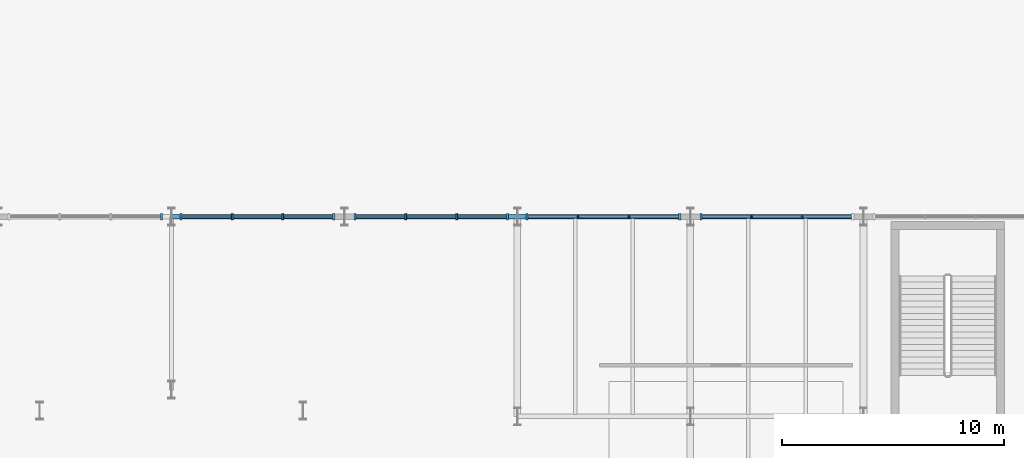
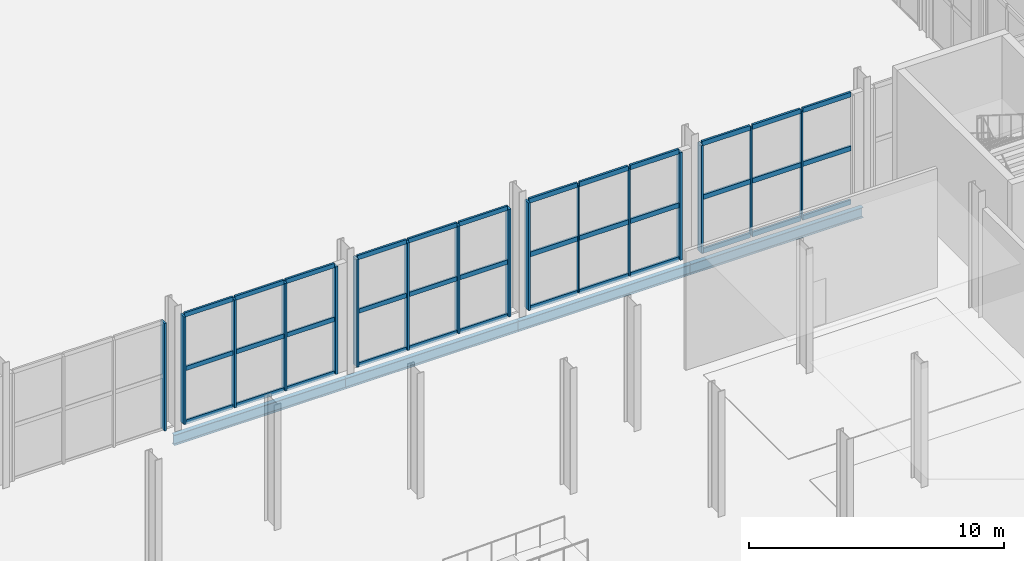
# One storey, part 25 of 84: 52 members, 4 beams, 5 elements without a shape of their own.
"""IFC4 building model written with IfcOpenShell, lengths in metres."""

from ifc_helpers import new_model, si_unit, direction, frame, origin, origin_2d, place, context, subcontext, project, spatial, rectangle, i_section, extrude, material, layer, layer_set, material_profile, profile_set, type_object, element, aggregate, save


model = new_model("IFC4")

# Units and contexts
model_context = context("Model", 3, precision=1e-05, world=origin(), true_north=direction((0.0, 1.0)))
body_context = subcontext(model_context, "Body", "Model", "MODEL_VIEW")
ifc_project = project(units=[si_unit("LENGTHUNIT", "METRE"), si_unit("AREAUNIT", "SQUARE_METRE"), si_unit("VOLUMEUNIT", "CUBIC_METRE"), si_unit("PLANEANGLEUNIT", "RADIAN"), si_unit("MASSUNIT", "GRAM", prefix="KILO")], contexts=[model_context])

# Site, building, storey
site_placement = place(None, origin())
site = spatial("IfcSite", under=ifc_project, at=site_placement, CompositionType="ELEMENT")
building_placement = place(site_placement, origin())
building = spatial("IfcBuilding", under=site, at=building_placement, Name="Sefraquen Railside Congress Hotel", CompositionType="ELEMENT")
storey_placement = place(building_placement, origin())
storey = spatial("IfcBuildingStorey", under=building, at=storey_placement, Name="L00", CompositionType="ELEMENT", Elevation=0.0)

# Beams
ifc_material_1 = material(Name="Steel S355JR", Category="steel")
ifc_material_profile_1 = material_profile(ifc_material_1, i_section(OverallWidth=0.199951171875, OverallDepth=0.5, WebThickness=0.01025390625, FlangeThickness=0.01611328125, FilletRadius=0.02099609375, at=origin_2d()), Name="IPE 500")
ifc_profile_set_1 = profile_set([ifc_material_profile_1], Name="Steel S355JR")
beam_type = type_object("IfcBeamType", Name="TB-BM-500", PredefinedType="BEAM", material=ifc_profile_set_1)
for number, where, z_axis, x_axis, name in (
    (1, (64.199951171875, 54.0, -0.64990234375), (1.0, 0.0, 0.0), (0.0, 1.0, 0.0), "Primary girder BM-L00-0059"),
    (2, (72.0, 54.0, -0.64990234375), (1.0, 0.0, 0.0), (0.0, 1.0, 0.0), "Primary girder BM-L00-0060"),
    (3, (79.800048828125, 54.0, -0.64990234375), (1.0, 0.0, 0.0), (0.0, 1.0, 0.0), "Primary girder BM-L00-0061"),
):
    element("IfcBeam", number, at=place(storey_placement, frame(where, z_axis=z_axis, x_axis=x_axis)), inside=storey, type_object=beam_type, Name=name, PredefinedType="BEAM", context=body_context, shape_type="SweptSolid", body=[
        extrude(i_section(OverallWidth=0.199951171875, OverallDepth=0.5, WebThickness=0.01025390625, FlangeThickness=0.01611328125, FilletRadius=0.02099609375, at=origin_2d()), origin(), (0.0, 0.0, 1.0), 7.800048828125),
    ])
beam_placement = place(storey_placement, frame((87.60009765625, 54.0, -0.64990234375), z_axis=(1.0, 0.0, 0.0), x_axis=(0.0, 1.0, 0.0)))
element("IfcBeam", 4, at=beam_placement, inside=storey, type_object=beam_type, Name="Primary girder BM-L00-0062", PredefinedType="BEAM", context=body_context, shape_type="SweptSolid", body=[
    extrude(i_section(OverallWidth=0.199951171875, OverallDepth=0.5, WebThickness=0.01025390625, FlangeThickness=0.01611328125, FilletRadius=0.02099609375, at=origin_2d()), origin(), (0.0, 0.0, 1.0), 7.7998046875),
])

# Curtain wall, members
ifc_material_2 = material(Name="Thermally broken anodised aluminium and low-E double glazing", Category="aluminium")
ifc_layer_1 = layer(ifc_material_2, 0.199951171875)
ifc_layer_set_1 = layer_set([ifc_layer_1], Name="Thermally broken anodised aluminium and low-E double glazing")
curtain_wall_type_1 = type_object("IfcCurtainWallType", Name="TCW-UCW-08", PredefinedType="USERDEFINED", material=ifc_layer_set_1)
curtain_wall_1_placement = place(storey_placement, origin())
curtain_wall_1 = element("IfcCurtainWall", 5, at=curtain_wall_1_placement, inside=storey, type_object=curtain_wall_type_1, Name="Congress courtyard north curtain wall L00-3", ObjectType="UNITISED CURTAIN WALL", PredefinedType="USERDEFINED")
ifc_material_3 = material(Name="Thermally broken anodised aluminium 6063-T6", Category="aluminium")
ifc_material_profile_2 = material_profile(ifc_material_3, rectangle(XDim=0.06005859375, YDim=0.159912109375, at=origin_2d()), Name="CWM 60x160")
ifc_profile_set_2 = profile_set([ifc_material_profile_2], Name="Thermally broken anodised aluminium 6063-T6")
member_type_1 = type_object("IfcMemberType", Name="TM-CWM-01", PredefinedType="MULLION", material=ifc_profile_set_2)
member_1_placement = place(storey_placement, frame((82.533203125, 54.0, 0.0), z_axis=(0.0, 0.0, 1.0), x_axis=(1.0, 0.0, 0.0)))
member_1 = element("IfcMember", 6, at=member_1_placement, type_object=member_type_1, Name="CW-L00-008 mullion 2", PredefinedType="MULLION", context=body_context, shape_type="SweptSolid", body=[
    extrude(rectangle(XDim=0.06005859375, YDim=0.159912109375, at=origin_2d()), origin(), (0.0, 0.0, 1.0), 5.14990234375),
])
member_2_placement = place(storey_placement, frame((84.82666015625, 54.0, 0.0), z_axis=(0.0, 0.0, 1.0), x_axis=(1.0, 0.0, 0.0)))
member_2 = element("IfcMember", 7, at=member_2_placement, type_object=member_type_1, Name="CW-L00-008 mullion 3", PredefinedType="MULLION", context=body_context, shape_type="SweptSolid", body=[
    extrude(rectangle(XDim=0.06005859375, YDim=0.159912109375, at=origin_2d()), origin(), (0.0, 0.0, 1.0), 5.14990234375),
])

curtain_wall_2_placement = place(storey_placement, origin())
curtain_wall_2 = element("IfcCurtainWall", 8, at=curtain_wall_2_placement, inside=storey, type_object=curtain_wall_type_1, Name="Congress courtyard north curtain wall L00-3 bay 2", ObjectType="UNITISED CURTAIN WALL", PredefinedType="USERDEFINED")
member_3_placement = place(storey_placement, frame((90.360107421875, 54.0, 0.0), z_axis=(0.0, 0.0, 1.0), x_axis=(1.0, 0.0, 0.0)))
member_3 = element("IfcMember", 9, at=member_3_placement, type_object=member_type_1, Name="CW-L00-008-S2 mullion 2", PredefinedType="MULLION", context=body_context, shape_type="SweptSolid", body=[
    extrude(rectangle(XDim=0.06005859375, YDim=0.159912109375, at=origin_2d()), origin(), (0.0, 0.0, 1.0), 5.14990234375),
])
member_4_placement = place(storey_placement, frame((92.639892578125, 54.0, 0.0), z_axis=(0.0, 0.0, 1.0), x_axis=(1.0, 0.0, 0.0)))
member_4 = element("IfcMember", 10, at=member_4_placement, type_object=member_type_1, Name="CW-L00-008-S2 mullion 3", PredefinedType="MULLION", context=body_context, shape_type="SweptSolid", body=[
    extrude(rectangle(XDim=0.06005859375, YDim=0.159912109375, at=origin_2d()), origin(), (0.0, 0.0, 1.0), 5.14990234375),
])

ifc_layer_2 = layer(ifc_material_2, 0.199951171875)
ifc_layer_set_2 = layer_set([ifc_layer_2], Name="Thermally broken anodised aluminium and low-E double glazing")
curtain_wall_type_2 = type_object("IfcCurtainWallType", Name="TCW-UCW-07", PredefinedType="USERDEFINED", material=ifc_layer_set_2)
curtain_wall_3_placement = place(storey_placement, origin())
curtain_wall_3 = element("IfcCurtainWall", 11, at=curtain_wall_3_placement, inside=storey, type_object=curtain_wall_type_2, Name="Congress courtyard north curtain wall L00-2", ObjectType="UNITISED CURTAIN WALL", PredefinedType="USERDEFINED")
ifc_material_profile_3 = material_profile(ifc_material_3, rectangle(XDim=0.090087890625, YDim=0.280029296875, at=origin_2d()), Name="CWM 90x280")
ifc_profile_set_3 = profile_set([ifc_material_profile_3], Name="Thermally broken anodised aluminium 6063-T6")
member_type_2 = type_object("IfcMemberType", Name="TM-CWM-07", PredefinedType="MULLION", material=ifc_profile_set_3)
member_5_placement = place(storey_placement, frame((66.933349609375, 54.0, 0.0), z_axis=(0.0, 0.0, 1.0), x_axis=(1.0, 0.0, 0.0)))
member_5 = element("IfcMember", 12, at=member_5_placement, type_object=member_type_2, Name="CW-L00-007 mullion 2", PredefinedType="MULLION", context=body_context, shape_type="SweptSolid", body=[
    extrude(rectangle(XDim=0.090087890625, YDim=0.280029296875, at=origin_2d()), origin(), (0.0, 0.0, 1.0), 5.14990234375),
])
member_6_placement = place(storey_placement, frame((69.226806640625, 54.0, 0.0), z_axis=(0.0, 0.0, 1.0), x_axis=(1.0, 0.0, 0.0)))
member_6 = element("IfcMember", 13, at=member_6_placement, type_object=member_type_2, Name="CW-L00-007 mullion 3", PredefinedType="MULLION", context=body_context, shape_type="SweptSolid", body=[
    extrude(rectangle(XDim=0.090087890625, YDim=0.280029296875, at=origin_2d()), origin(), (0.0, 0.0, 1.0), 5.14990234375),
])

curtain_wall_4_placement = place(storey_placement, origin())
curtain_wall_4 = element("IfcCurtainWall", 14, at=curtain_wall_4_placement, inside=storey, type_object=curtain_wall_type_2, Name="Congress courtyard north curtain wall L00-2 bay 2", ObjectType="UNITISED CURTAIN WALL", PredefinedType="USERDEFINED")
member_7_placement = place(storey_placement, frame((74.773193359375, 54.0, 0.0), z_axis=(0.0, 0.0, 1.0), x_axis=(1.0, 0.0, 0.0)))
member_7 = element("IfcMember", 15, at=member_7_placement, type_object=member_type_2, Name="CW-L00-007-S2 mullion 2", PredefinedType="MULLION", context=body_context, shape_type="SweptSolid", body=[
    extrude(rectangle(XDim=0.090087890625, YDim=0.280029296875, at=origin_2d()), origin(), (0.0, 0.0, 1.0), 5.14990234375),
])
member_8_placement = place(storey_placement, frame((77.066650390625, 54.0, 0.0), z_axis=(0.0, 0.0, 1.0), x_axis=(1.0, 0.0, 0.0)))
member_8 = element("IfcMember", 16, at=member_8_placement, type_object=member_type_2, Name="CW-L00-007-S2 mullion 3", PredefinedType="MULLION", context=body_context, shape_type="SweptSolid", body=[
    extrude(rectangle(XDim=0.090087890625, YDim=0.280029296875, at=origin_2d()), origin(), (0.0, 0.0, 1.0), 5.14990234375),
])

# Curtain wall, member
ifc_layer_3 = layer(ifc_material_2, 0.199951171875)
ifc_layer_set_3 = layer_set([ifc_layer_3], Name="Thermally broken anodised aluminium and low-E double glazing")
curtain_wall_type_3 = type_object("IfcCurtainWallType", Name="TCW-UCW-06", PredefinedType="USERDEFINED", material=ifc_layer_set_3)
curtain_wall_5_placement = place(storey_placement, origin())
curtain_wall_5 = element("IfcCurtainWall", 17, at=curtain_wall_5_placement, inside=storey, type_object=curtain_wall_type_3, Name="Congress courtyard north curtain wall L00-1 bay 2", ObjectType="UNITISED CURTAIN WALL", PredefinedType="USERDEFINED")
ifc_material_profile_4 = material_profile(ifc_material_3, rectangle(XDim=0.094970703125, YDim=0.300048828125, at=origin_2d()), Name="CWM 95x300")
ifc_profile_set_4 = profile_set([ifc_material_profile_4], Name="Thermally broken anodised aluminium 6063-T6")
member_type_3 = type_object("IfcMemberType", Name="TM-CWM-08", PredefinedType="MULLION", material=ifc_profile_set_4)
member_9_placement = place(storey_placement, frame((63.760009765625, 54.0, 0.0), z_axis=(0.0, 0.0, 1.0), x_axis=(1.0, 0.0, 0.0)))
member_9 = element("IfcMember", 18, at=member_9_placement, type_object=member_type_3, Name="CW-L00-006-S2 mullion 4", PredefinedType="MULLION", context=body_context, shape_type="SweptSolid", body=[
    extrude(rectangle(XDim=0.094970703125, YDim=0.300048828125, at=origin_2d()), origin(), (0.0, 0.0, 1.0), 5.14990234375),
])
aggregate(curtain_wall_5, [member_9])

# Member
member_10_placement = place(storey_placement, frame((64.639892578125, 54.0, 0.0), z_axis=(0.0, 0.0, 1.0), x_axis=(1.0, 0.0, 0.0)))
member_10 = element("IfcMember", 19, at=member_10_placement, type_object=member_type_3, Name="CW-L00-007 mullion 1", PredefinedType="MULLION", context=body_context, shape_type="SweptSolid", body=[
    extrude(rectangle(XDim=0.094970703125, YDim=0.300048828125, at=origin_2d()), origin(), (0.0, 0.0, 1.0), 5.14990234375),
])

member_11_placement = place(storey_placement, frame((71.52001953125, 54.0, 0.0), z_axis=(0.0, 0.0, 1.0), x_axis=(1.0, 0.0, 0.0)))
member_11 = element("IfcMember", 20, at=member_11_placement, type_object=member_type_3, Name="CW-L00-007 mullion 4", PredefinedType="MULLION", context=body_context, shape_type="SweptSolid", body=[
    extrude(rectangle(XDim=0.094970703125, YDim=0.300048828125, at=origin_2d()), origin(), (0.0, 0.0, 1.0), 5.14990234375),
])

member_12_placement = place(storey_placement, frame((72.47998046875, 54.0, 0.0), z_axis=(0.0, 0.0, 1.0), x_axis=(1.0, 0.0, 0.0)))
member_12 = element("IfcMember", 21, at=member_12_placement, type_object=member_type_3, Name="CW-L00-007-S2 mullion 1", PredefinedType="MULLION", context=body_context, shape_type="SweptSolid", body=[
    extrude(rectangle(XDim=0.094970703125, YDim=0.300048828125, at=origin_2d()), origin(), (0.0, 0.0, 1.0), 5.14990234375),
])

member_13_placement = place(storey_placement, frame((79.360107421875, 54.0, 0.0), z_axis=(0.0, 0.0, 1.0), x_axis=(1.0, 0.0, 0.0)))
member_13 = element("IfcMember", 22, at=member_13_placement, type_object=member_type_3, Name="CW-L00-007-S2 mullion 4", PredefinedType="MULLION", context=body_context, shape_type="SweptSolid", body=[
    extrude(rectangle(XDim=0.094970703125, YDim=0.300048828125, at=origin_2d()), origin(), (0.0, 0.0, 1.0), 5.14990234375),
])

member_14_placement = place(storey_placement, frame((80.239990234375, 54.0, 0.0), z_axis=(0.0, 0.0, 1.0), x_axis=(1.0, 0.0, 0.0)))
member_14 = element("IfcMember", 23, at=member_14_placement, type_object=member_type_3, Name="CW-L00-008 mullion 1", PredefinedType="MULLION", context=body_context, shape_type="SweptSolid", body=[
    extrude(rectangle(XDim=0.094970703125, YDim=0.300048828125, at=origin_2d()), origin(), (0.0, 0.0, 1.0), 5.14990234375),
])

member_15_placement = place(storey_placement, frame((87.1201171875, 54.0, 0.0), z_axis=(0.0, 0.0, 1.0), x_axis=(1.0, 0.0, 0.0)))
member_15 = element("IfcMember", 24, at=member_15_placement, type_object=member_type_3, Name="CW-L00-008 mullion 4", PredefinedType="MULLION", context=body_context, shape_type="SweptSolid", body=[
    extrude(rectangle(XDim=0.094970703125, YDim=0.300048828125, at=origin_2d()), origin(), (0.0, 0.0, 1.0), 5.14990234375),
])

member_16_placement = place(storey_placement, frame((88.080078125, 54.0, 0.0), z_axis=(0.0, 0.0, 1.0), x_axis=(1.0, 0.0, 0.0)))
member_16 = element("IfcMember", 25, at=member_16_placement, type_object=member_type_3, Name="CW-L00-008-S2 mullion 1", PredefinedType="MULLION", context=body_context, shape_type="SweptSolid", body=[
    extrude(rectangle(XDim=0.094970703125, YDim=0.300048828125, at=origin_2d()), origin(), (0.0, 0.0, 1.0), 5.14990234375),
])

ifc_material_profile_5 = material_profile(ifc_material_3, rectangle(XDim=0.090087890625, YDim=0.2099609375, at=origin_2d()), Name="CWT 90x210")
ifc_profile_set_5 = profile_set([ifc_material_profile_5], Name="Thermally broken anodised aluminium 6063-T6")
member_type_4 = type_object("IfcMemberType", Name="TM-CWT-07", PredefinedType="USERDEFINED", material=ifc_profile_set_5)
member_17_placement = place(storey_placement, frame((64.68505859375, 54.0, 0.0), z_axis=(1.0, 0.0, 0.0), x_axis=(0.0, 1.0, 0.0)))
member_17 = element("IfcMember", 26, at=member_17_placement, type_object=member_type_4, Name="CW-L00-007 transom 1.1", ObjectType="TRANSOM", PredefinedType="USERDEFINED", context=body_context, shape_type="SweptSolid", body=[
    extrude(rectangle(XDim=0.090087890625, YDim=0.2099609375, at=origin_2d()), origin(), (0.0, 0.0, 1.0), 2.203125),
])

member_18_placement = place(storey_placement, frame((66.978271484375, 54.0, 0.0), z_axis=(1.0, 0.0, 0.0), x_axis=(0.0, 1.0, 0.0)))
member_18 = element("IfcMember", 27, at=member_18_placement, type_object=member_type_4, Name="CW-L00-007 transom 1.2", ObjectType="TRANSOM", PredefinedType="USERDEFINED", context=body_context, shape_type="SweptSolid", body=[
    extrude(rectangle(XDim=0.090087890625, YDim=0.2099609375, at=origin_2d()), origin(), (0.0, 0.0, 1.0), 2.203369140625),
])

member_19_placement = place(storey_placement, frame((69.271728515625, 54.0, 0.0), z_axis=(1.0, 0.0, 0.0), x_axis=(0.0, 1.0, 0.0)))
member_19 = element("IfcMember", 28, at=member_19_placement, type_object=member_type_4, Name="CW-L00-007 transom 1.3", ObjectType="TRANSOM", PredefinedType="USERDEFINED", context=body_context, shape_type="SweptSolid", body=[
    extrude(rectangle(XDim=0.090087890625, YDim=0.2099609375, at=origin_2d()), origin(), (0.0, 0.0, 1.0), 2.203369140625),
])

member_20_placement = place(storey_placement, frame((64.68505859375, 54.0, 2.574951171875), z_axis=(1.0, 0.0, 0.0), x_axis=(0.0, 1.0, 0.0)))
member_20 = element("IfcMember", 29, at=member_20_placement, type_object=member_type_4, Name="CW-L00-007 transom 2.1", ObjectType="TRANSOM", PredefinedType="USERDEFINED", context=body_context, shape_type="SweptSolid", body=[
    extrude(rectangle(XDim=0.090087890625, YDim=0.2099609375, at=origin_2d()), origin(), (0.0, 0.0, 1.0), 2.203125),
])

member_21_placement = place(storey_placement, frame((66.978271484375, 54.0, 2.574951171875), z_axis=(1.0, 0.0, 0.0), x_axis=(0.0, 1.0, 0.0)))
member_21 = element("IfcMember", 30, at=member_21_placement, type_object=member_type_4, Name="CW-L00-007 transom 2.2", ObjectType="TRANSOM", PredefinedType="USERDEFINED", context=body_context, shape_type="SweptSolid", body=[
    extrude(rectangle(XDim=0.090087890625, YDim=0.2099609375, at=origin_2d()), origin(), (0.0, 0.0, 1.0), 2.203369140625),
])

member_22_placement = place(storey_placement, frame((69.271728515625, 54.0, 2.574951171875), z_axis=(1.0, 0.0, 0.0), x_axis=(0.0, 1.0, 0.0)))
member_22 = element("IfcMember", 31, at=member_22_placement, type_object=member_type_4, Name="CW-L00-007 transom 2.3", ObjectType="TRANSOM", PredefinedType="USERDEFINED", context=body_context, shape_type="SweptSolid", body=[
    extrude(rectangle(XDim=0.090087890625, YDim=0.2099609375, at=origin_2d()), origin(), (0.0, 0.0, 1.0), 2.203369140625),
])

member_23_placement = place(storey_placement, frame((64.68505859375, 54.0, 5.14990234375), z_axis=(1.0, 0.0, 0.0), x_axis=(0.0, 1.0, 0.0)))
member_23 = element("IfcMember", 32, at=member_23_placement, type_object=member_type_4, Name="CW-L00-007 transom 3.1", ObjectType="TRANSOM", PredefinedType="USERDEFINED", context=body_context, shape_type="SweptSolid", body=[
    extrude(rectangle(XDim=0.090087890625, YDim=0.2099609375, at=origin_2d()), origin(), (0.0, 0.0, 1.0), 2.203125),
])

member_24_placement = place(storey_placement, frame((66.978271484375, 54.0, 5.14990234375), z_axis=(1.0, 0.0, 0.0), x_axis=(0.0, 1.0, 0.0)))
member_24 = element("IfcMember", 33, at=member_24_placement, type_object=member_type_4, Name="CW-L00-007 transom 3.2", ObjectType="TRANSOM", PredefinedType="USERDEFINED", context=body_context, shape_type="SweptSolid", body=[
    extrude(rectangle(XDim=0.090087890625, YDim=0.2099609375, at=origin_2d()), origin(), (0.0, 0.0, 1.0), 2.203369140625),
])

member_25_placement = place(storey_placement, frame((69.271728515625, 54.0, 5.14990234375), z_axis=(1.0, 0.0, 0.0), x_axis=(0.0, 1.0, 0.0)))
member_25 = element("IfcMember", 34, at=member_25_placement, type_object=member_type_4, Name="CW-L00-007 transom 3.3", ObjectType="TRANSOM", PredefinedType="USERDEFINED", context=body_context, shape_type="SweptSolid", body=[
    extrude(rectangle(XDim=0.090087890625, YDim=0.2099609375, at=origin_2d()), origin(), (0.0, 0.0, 1.0), 2.203369140625),
])

aggregate(curtain_wall_3, [member_10, member_5, member_6, member_11, member_17, member_18, member_19, member_20, member_21, member_22, member_23, member_24, member_25])

member_26_placement = place(storey_placement, frame((72.52490234375, 54.0, 0.0), z_axis=(1.0, 0.0, 0.0), x_axis=(0.0, 1.0, 0.0)))
member_26 = element("IfcMember", 35, at=member_26_placement, type_object=member_type_4, Name="CW-L00-007-S2 transom 1.1", ObjectType="TRANSOM", PredefinedType="USERDEFINED", context=body_context, shape_type="SweptSolid", body=[
    extrude(rectangle(XDim=0.090087890625, YDim=0.2099609375, at=origin_2d()), origin(), (0.0, 0.0, 1.0), 2.203369140625),
])

member_27_placement = place(storey_placement, frame((74.818359375, 54.0, 0.0), z_axis=(1.0, 0.0, 0.0), x_axis=(0.0, 1.0, 0.0)))
member_27 = element("IfcMember", 36, at=member_27_placement, type_object=member_type_4, Name="CW-L00-007-S2 transom 1.2", ObjectType="TRANSOM", PredefinedType="USERDEFINED", context=body_context, shape_type="SweptSolid", body=[
    extrude(rectangle(XDim=0.090087890625, YDim=0.2099609375, at=origin_2d()), origin(), (0.0, 0.0, 1.0), 2.203369140625),
])

member_28_placement = place(storey_placement, frame((77.11181640625, 54.0, 0.0), z_axis=(1.0, 0.0, 0.0), x_axis=(0.0, 1.0, 0.0)))
member_28 = element("IfcMember", 37, at=member_28_placement, type_object=member_type_4, Name="CW-L00-007-S2 transom 1.3", ObjectType="TRANSOM", PredefinedType="USERDEFINED", context=body_context, shape_type="SweptSolid", body=[
    extrude(rectangle(XDim=0.090087890625, YDim=0.2099609375, at=origin_2d()), origin(), (0.0, 0.0, 1.0), 2.203125),
])

member_29_placement = place(storey_placement, frame((72.52490234375, 54.0, 2.574951171875), z_axis=(1.0, 0.0, 0.0), x_axis=(0.0, 1.0, 0.0)))
member_29 = element("IfcMember", 38, at=member_29_placement, type_object=member_type_4, Name="CW-L00-007-S2 transom 2.1", ObjectType="TRANSOM", PredefinedType="USERDEFINED", context=body_context, shape_type="SweptSolid", body=[
    extrude(rectangle(XDim=0.090087890625, YDim=0.2099609375, at=origin_2d()), origin(), (0.0, 0.0, 1.0), 2.203369140625),
])

member_30_placement = place(storey_placement, frame((74.818359375, 54.0, 2.574951171875), z_axis=(1.0, 0.0, 0.0), x_axis=(0.0, 1.0, 0.0)))
member_30 = element("IfcMember", 39, at=member_30_placement, type_object=member_type_4, Name="CW-L00-007-S2 transom 2.2", ObjectType="TRANSOM", PredefinedType="USERDEFINED", context=body_context, shape_type="SweptSolid", body=[
    extrude(rectangle(XDim=0.090087890625, YDim=0.2099609375, at=origin_2d()), origin(), (0.0, 0.0, 1.0), 2.203369140625),
])

member_31_placement = place(storey_placement, frame((77.11181640625, 54.0, 2.574951171875), z_axis=(1.0, 0.0, 0.0), x_axis=(0.0, 1.0, 0.0)))
member_31 = element("IfcMember", 40, at=member_31_placement, type_object=member_type_4, Name="CW-L00-007-S2 transom 2.3", ObjectType="TRANSOM", PredefinedType="USERDEFINED", context=body_context, shape_type="SweptSolid", body=[
    extrude(rectangle(XDim=0.090087890625, YDim=0.2099609375, at=origin_2d()), origin(), (0.0, 0.0, 1.0), 2.203125),
])

member_32_placement = place(storey_placement, frame((72.52490234375, 54.0, 5.14990234375), z_axis=(1.0, 0.0, 0.0), x_axis=(0.0, 1.0, 0.0)))
member_32 = element("IfcMember", 41, at=member_32_placement, type_object=member_type_4, Name="CW-L00-007-S2 transom 3.1", ObjectType="TRANSOM", PredefinedType="USERDEFINED", context=body_context, shape_type="SweptSolid", body=[
    extrude(rectangle(XDim=0.090087890625, YDim=0.2099609375, at=origin_2d()), origin(), (0.0, 0.0, 1.0), 2.203369140625),
])

member_33_placement = place(storey_placement, frame((74.818359375, 54.0, 5.14990234375), z_axis=(1.0, 0.0, 0.0), x_axis=(0.0, 1.0, 0.0)))
member_33 = element("IfcMember", 42, at=member_33_placement, type_object=member_type_4, Name="CW-L00-007-S2 transom 3.2", ObjectType="TRANSOM", PredefinedType="USERDEFINED", context=body_context, shape_type="SweptSolid", body=[
    extrude(rectangle(XDim=0.090087890625, YDim=0.2099609375, at=origin_2d()), origin(), (0.0, 0.0, 1.0), 2.203369140625),
])

member_34_placement = place(storey_placement, frame((77.11181640625, 54.0, 5.14990234375), z_axis=(1.0, 0.0, 0.0), x_axis=(0.0, 1.0, 0.0)))
member_34 = element("IfcMember", 43, at=member_34_placement, type_object=member_type_4, Name="CW-L00-007-S2 transom 3.3", ObjectType="TRANSOM", PredefinedType="USERDEFINED", context=body_context, shape_type="SweptSolid", body=[
    extrude(rectangle(XDim=0.090087890625, YDim=0.2099609375, at=origin_2d()), origin(), (0.0, 0.0, 1.0), 2.203125),
])

aggregate(curtain_wall_4, [member_12, member_7, member_8, member_13, member_26, member_27, member_28, member_29, member_30, member_31, member_32, member_33, member_34])

ifc_material_profile_6 = material_profile(ifc_material_3, rectangle(XDim=0.094970703125, YDim=0.22509765625, at=origin_2d()), Name="CWT 95x225")
ifc_profile_set_6 = profile_set([ifc_material_profile_6], Name="Thermally broken anodised aluminium 6063-T6")
member_type_5 = type_object("IfcMemberType", Name="TM-CWT-08", PredefinedType="USERDEFINED", material=ifc_profile_set_6)
member_35_placement = place(storey_placement, frame((80.284912109375, 54.0, 0.0), z_axis=(1.0, 0.0, 0.0), x_axis=(0.0, 1.0, 0.0)))
member_35 = element("IfcMember", 44, at=member_35_placement, type_object=member_type_5, Name="CW-L00-008 transom 1.1", ObjectType="TRANSOM", PredefinedType="USERDEFINED", context=body_context, shape_type="SweptSolid", body=[
    extrude(rectangle(XDim=0.094970703125, YDim=0.22509765625, at=origin_2d()), origin(), (0.0, 0.0, 1.0), 2.203369140625),
])

member_36_placement = place(storey_placement, frame((82.578369140625, 54.0, 0.0), z_axis=(1.0, 0.0, 0.0), x_axis=(0.0, 1.0, 0.0)))
member_36 = element("IfcMember", 45, at=member_36_placement, type_object=member_type_5, Name="CW-L00-008 transom 1.2", ObjectType="TRANSOM", PredefinedType="USERDEFINED", context=body_context, shape_type="SweptSolid", body=[
    extrude(rectangle(XDim=0.094970703125, YDim=0.22509765625, at=origin_2d()), origin(), (0.0, 0.0, 1.0), 2.203369140625),
])

member_37_placement = place(storey_placement, frame((84.87158203125, 54.0, 0.0), z_axis=(1.0, 0.0, 0.0), x_axis=(0.0, 1.0, 0.0)))
member_37 = element("IfcMember", 46, at=member_37_placement, type_object=member_type_5, Name="CW-L00-008 transom 1.3", ObjectType="TRANSOM", PredefinedType="USERDEFINED", context=body_context, shape_type="SweptSolid", body=[
    extrude(rectangle(XDim=0.094970703125, YDim=0.22509765625, at=origin_2d()), origin(), (0.0, 0.0, 1.0), 2.203369140625),
])

member_38_placement = place(storey_placement, frame((80.284912109375, 54.0, 2.574951171875), z_axis=(1.0, 0.0, 0.0), x_axis=(0.0, 1.0, 0.0)))
member_38 = element("IfcMember", 47, at=member_38_placement, type_object=member_type_5, Name="CW-L00-008 transom 2.1", ObjectType="TRANSOM", PredefinedType="USERDEFINED", context=body_context, shape_type="SweptSolid", body=[
    extrude(rectangle(XDim=0.094970703125, YDim=0.22509765625, at=origin_2d()), origin(), (0.0, 0.0, 1.0), 2.203369140625),
])

member_39_placement = place(storey_placement, frame((82.578369140625, 54.0, 2.574951171875), z_axis=(1.0, 0.0, 0.0), x_axis=(0.0, 1.0, 0.0)))
member_39 = element("IfcMember", 48, at=member_39_placement, type_object=member_type_5, Name="CW-L00-008 transom 2.2", ObjectType="TRANSOM", PredefinedType="USERDEFINED", context=body_context, shape_type="SweptSolid", body=[
    extrude(rectangle(XDim=0.094970703125, YDim=0.22509765625, at=origin_2d()), origin(), (0.0, 0.0, 1.0), 2.203369140625),
])

member_40_placement = place(storey_placement, frame((84.87158203125, 54.0, 2.574951171875), z_axis=(1.0, 0.0, 0.0), x_axis=(0.0, 1.0, 0.0)))
member_40 = element("IfcMember", 49, at=member_40_placement, type_object=member_type_5, Name="CW-L00-008 transom 2.3", ObjectType="TRANSOM", PredefinedType="USERDEFINED", context=body_context, shape_type="SweptSolid", body=[
    extrude(rectangle(XDim=0.094970703125, YDim=0.22509765625, at=origin_2d()), origin(), (0.0, 0.0, 1.0), 2.203369140625),
])

member_41_placement = place(storey_placement, frame((80.284912109375, 54.0, 5.14990234375), z_axis=(1.0, 0.0, 0.0), x_axis=(0.0, 1.0, 0.0)))
member_41 = element("IfcMember", 50, at=member_41_placement, type_object=member_type_5, Name="CW-L00-008 transom 3.1", ObjectType="TRANSOM", PredefinedType="USERDEFINED", context=body_context, shape_type="SweptSolid", body=[
    extrude(rectangle(XDim=0.094970703125, YDim=0.22509765625, at=origin_2d()), origin(), (0.0, 0.0, 1.0), 2.203369140625),
])

member_42_placement = place(storey_placement, frame((82.578369140625, 54.0, 5.14990234375), z_axis=(1.0, 0.0, 0.0), x_axis=(0.0, 1.0, 0.0)))
member_42 = element("IfcMember", 51, at=member_42_placement, type_object=member_type_5, Name="CW-L00-008 transom 3.2", ObjectType="TRANSOM", PredefinedType="USERDEFINED", context=body_context, shape_type="SweptSolid", body=[
    extrude(rectangle(XDim=0.094970703125, YDim=0.22509765625, at=origin_2d()), origin(), (0.0, 0.0, 1.0), 2.203369140625),
])

member_43_placement = place(storey_placement, frame((84.87158203125, 54.0, 5.14990234375), z_axis=(1.0, 0.0, 0.0), x_axis=(0.0, 1.0, 0.0)))
member_43 = element("IfcMember", 52, at=member_43_placement, type_object=member_type_5, Name="CW-L00-008 transom 3.3", ObjectType="TRANSOM", PredefinedType="USERDEFINED", context=body_context, shape_type="SweptSolid", body=[
    extrude(rectangle(XDim=0.094970703125, YDim=0.22509765625, at=origin_2d()), origin(), (0.0, 0.0, 1.0), 2.203369140625),
])

aggregate(curtain_wall_1, [member_14, member_1, member_2, member_15, member_35, member_36, member_37, member_38, member_39, member_40, member_41, member_42, member_43])

member_44_placement = place(storey_placement, frame((88.125, 54.0, 0.0), z_axis=(1.0, 0.0, 0.0), x_axis=(0.0, 1.0, 0.0)))
member_44 = element("IfcMember", 53, at=member_44_placement, type_object=member_type_5, Name="CW-L00-008-S2 transom 1.1", ObjectType="TRANSOM", PredefinedType="USERDEFINED", context=body_context, shape_type="SweptSolid", body=[
    extrude(rectangle(XDim=0.094970703125, YDim=0.22509765625, at=origin_2d()), origin(), (0.0, 0.0, 1.0), 2.18994140625),
])

member_45_placement = place(storey_placement, frame((90.405029296875, 54.0, 0.0), z_axis=(1.0, 0.0, 0.0), x_axis=(0.0, 1.0, 0.0)))
member_45 = element("IfcMember", 54, at=member_45_placement, type_object=member_type_5, Name="CW-L00-008-S2 transom 1.2", ObjectType="TRANSOM", PredefinedType="USERDEFINED", context=body_context, shape_type="SweptSolid", body=[
    extrude(rectangle(XDim=0.094970703125, YDim=0.22509765625, at=origin_2d()), origin(), (0.0, 0.0, 1.0), 2.18994140625),
])

member_46_placement = place(storey_placement, frame((92.68505859375, 54.0, 0.0), z_axis=(1.0, 0.0, 0.0), x_axis=(0.0, 1.0, 0.0)))
member_46 = element("IfcMember", 55, at=member_46_placement, type_object=member_type_5, Name="CW-L00-008-S2 transom 1.3", ObjectType="TRANSOM", PredefinedType="USERDEFINED", context=body_context, shape_type="SweptSolid", body=[
    extrude(rectangle(XDim=0.094970703125, YDim=0.22509765625, at=origin_2d()), origin(), (0.0, 0.0, 1.0), 2.18994140625),
])

member_47_placement = place(storey_placement, frame((88.125, 54.0, 2.574951171875), z_axis=(1.0, 0.0, 0.0), x_axis=(0.0, 1.0, 0.0)))
member_47 = element("IfcMember", 56, at=member_47_placement, type_object=member_type_5, Name="CW-L00-008-S2 transom 2.1", ObjectType="TRANSOM", PredefinedType="USERDEFINED", context=body_context, shape_type="SweptSolid", body=[
    extrude(rectangle(XDim=0.094970703125, YDim=0.22509765625, at=origin_2d()), origin(), (0.0, 0.0, 1.0), 2.18994140625),
])

member_48_placement = place(storey_placement, frame((90.405029296875, 54.0, 2.574951171875), z_axis=(1.0, 0.0, 0.0), x_axis=(0.0, 1.0, 0.0)))
member_48 = element("IfcMember", 57, at=member_48_placement, type_object=member_type_5, Name="CW-L00-008-S2 transom 2.2", ObjectType="TRANSOM", PredefinedType="USERDEFINED", context=body_context, shape_type="SweptSolid", body=[
    extrude(rectangle(XDim=0.094970703125, YDim=0.22509765625, at=origin_2d()), origin(), (0.0, 0.0, 1.0), 2.18994140625),
])

member_49_placement = place(storey_placement, frame((92.68505859375, 54.0, 2.574951171875), z_axis=(1.0, 0.0, 0.0), x_axis=(0.0, 1.0, 0.0)))
member_49 = element("IfcMember", 58, at=member_49_placement, type_object=member_type_5, Name="CW-L00-008-S2 transom 2.3", ObjectType="TRANSOM", PredefinedType="USERDEFINED", context=body_context, shape_type="SweptSolid", body=[
    extrude(rectangle(XDim=0.094970703125, YDim=0.22509765625, at=origin_2d()), origin(), (0.0, 0.0, 1.0), 2.18994140625),
])

member_50_placement = place(storey_placement, frame((88.125, 54.0, 5.14990234375), z_axis=(1.0, 0.0, 0.0), x_axis=(0.0, 1.0, 0.0)))
member_50 = element("IfcMember", 59, at=member_50_placement, type_object=member_type_5, Name="CW-L00-008-S2 transom 3.1", ObjectType="TRANSOM", PredefinedType="USERDEFINED", context=body_context, shape_type="SweptSolid", body=[
    extrude(rectangle(XDim=0.094970703125, YDim=0.22509765625, at=origin_2d()), origin(), (0.0, 0.0, 1.0), 2.18994140625),
])

member_51_placement = place(storey_placement, frame((90.405029296875, 54.0, 5.14990234375), z_axis=(1.0, 0.0, 0.0), x_axis=(0.0, 1.0, 0.0)))
member_51 = element("IfcMember", 60, at=member_51_placement, type_object=member_type_5, Name="CW-L00-008-S2 transom 3.2", ObjectType="TRANSOM", PredefinedType="USERDEFINED", context=body_context, shape_type="SweptSolid", body=[
    extrude(rectangle(XDim=0.094970703125, YDim=0.22509765625, at=origin_2d()), origin(), (0.0, 0.0, 1.0), 2.18994140625),
])

member_52_placement = place(storey_placement, frame((92.68505859375, 54.0, 5.14990234375), z_axis=(1.0, 0.0, 0.0), x_axis=(0.0, 1.0, 0.0)))
member_52 = element("IfcMember", 61, at=member_52_placement, type_object=member_type_5, Name="CW-L00-008-S2 transom 3.3", ObjectType="TRANSOM", PredefinedType="USERDEFINED", context=body_context, shape_type="SweptSolid", body=[
    extrude(rectangle(XDim=0.094970703125, YDim=0.22509765625, at=origin_2d()), origin(), (0.0, 0.0, 1.0), 2.18994140625),
])

aggregate(curtain_wall_2, [member_16, member_3, member_4, member_44, member_45, member_46, member_47, member_48, member_49, member_50, member_51, member_52])

save(model, "model.ifc")
